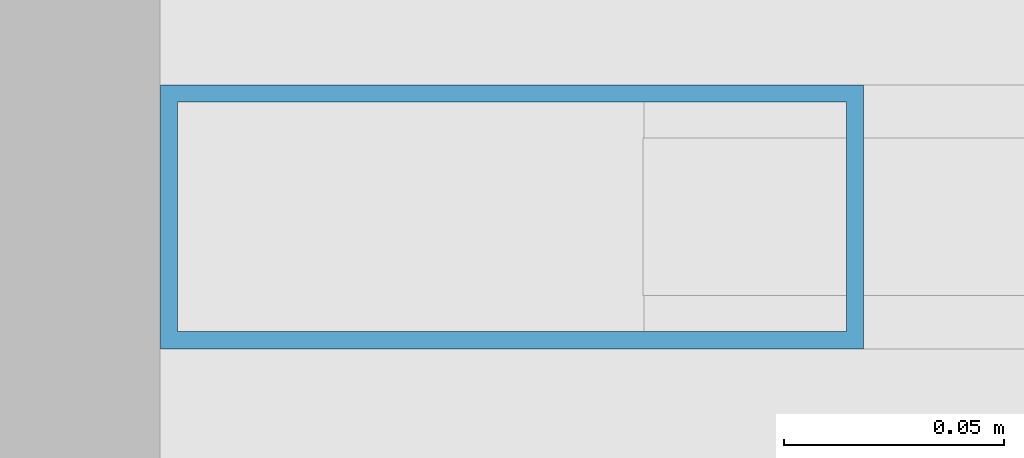
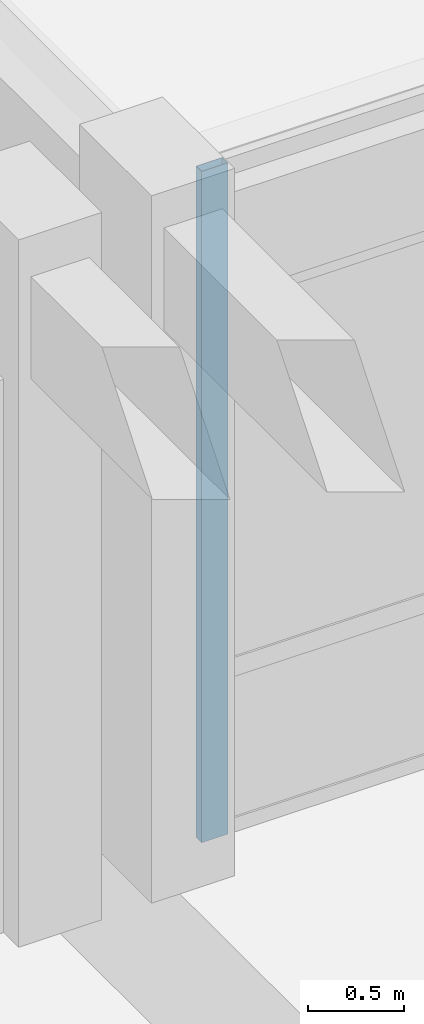
# One storey, part 103 of 186: 1 member, 1 element without a shape of its own.
"""IFC4 building model written with IfcOpenShell, lengths in metres."""

from ifc_helpers import new_model, si_unit, direction, frame, origin, origin_2d, place, context, subcontext, project, spatial, hollow_rectangle, extrude, material, layer, layer_set, material_profile, profile_set, type_object, element, aggregate, save


model = new_model("IFC4")

# Units and contexts
model_context = context("Model", 3, precision=1e-05, world=origin(), true_north=direction((0.0, 1.0)))
body_context = subcontext(model_context, "Body", "Model", "MODEL_VIEW")
ifc_project = project(units=[si_unit("LENGTHUNIT", "METRE"), si_unit("AREAUNIT", "SQUARE_METRE"), si_unit("VOLUMEUNIT", "CUBIC_METRE"), si_unit("PLANEANGLEUNIT", "RADIAN"), si_unit("MASSUNIT", "GRAM", prefix="KILO")], contexts=[model_context])

# Site, building, storey
site_placement = place(None, origin())
site = spatial("IfcSite", under=ifc_project, at=site_placement, CompositionType="ELEMENT")
building_placement = place(site_placement, origin())
building = spatial("IfcBuilding", under=site, at=building_placement, Name="Ornek Quay Market", CompositionType="ELEMENT")
storey_placement = place(building_placement, origin())
storey = spatial("IfcBuildingStorey", under=building, at=storey_placement, Name="L00", CompositionType="ELEMENT", Elevation=0.0)

# Curtain wall, member
ifc_material_1 = material(Name="Anodised bronze aluminium and triple low-e glass", Category="aluminium")
ifc_layer = layer(ifc_material_1, 0.179931640625, Name="Anodised bronze aluminium and triple low-e glass", Category="aluminium")
ifc_layer_set = layer_set([ifc_layer], Name="Anodised bronze aluminium and triple low-e glass")
curtain_wall_type = type_object("IfcCurtainWallType", Name="CW-CONC-MOD1500", PredefinedType="USERDEFINED", material=ifc_layer_set)
curtain_wall_placement = place(storey_placement, origin())
curtain_wall = element("IfcCurtainWall", 1, at=curtain_wall_placement, inside=storey, type_object=curtain_wall_type, Name="Curtain wall CW-025", ObjectType="CURTAIN WALL", PredefinedType="USERDEFINED")
ifc_material_2 = material(Name="Anodised aluminium 6063-T6", Category="aluminium")
ifc_material_profile = material_profile(ifc_material_2, hollow_rectangle(XDim=0.06005859375, YDim=0.159912109375, WallThickness=0.00390625, at=origin_2d()), Name="CW-MUL-60x160", Category="aluminium")
ifc_profile_set = profile_set([ifc_material_profile], Name="Anodised aluminium 6063-T6")
member_type = type_object("IfcMemberType", Name="CW-MUL-60x160", PredefinedType="MULLION", material=ifc_profile_set)
member_placement = place(storey_placement, frame((126.330078125, 110.0, 0.0), z_axis=(0.0, 0.0, 1.0), x_axis=(0.0, 1.0, 0.0)))
member = element("IfcMember", 2, at=member_placement, type_object=member_type, Name="CW-025 mullion 1", PredefinedType="MULLION", context=body_context, shape_type="SweptSolid", body=[
    extrude(hollow_rectangle(XDim=0.06005859375, YDim=0.159912109375, WallThickness=0.00390625, at=origin_2d()), origin(), (0.0, 0.0, 1.0), 4.27001953125),
])
aggregate(curtain_wall, [member])

save(model, "model.ifc")
